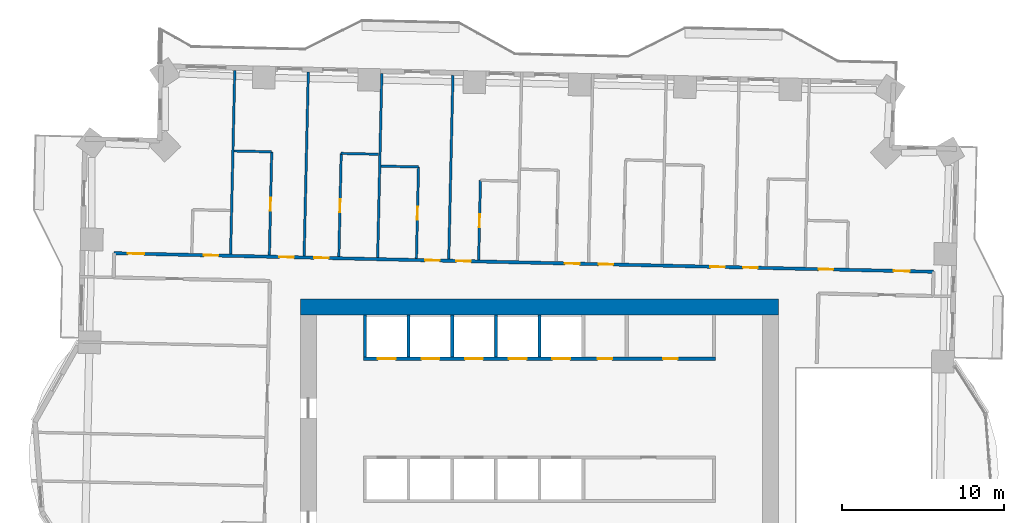
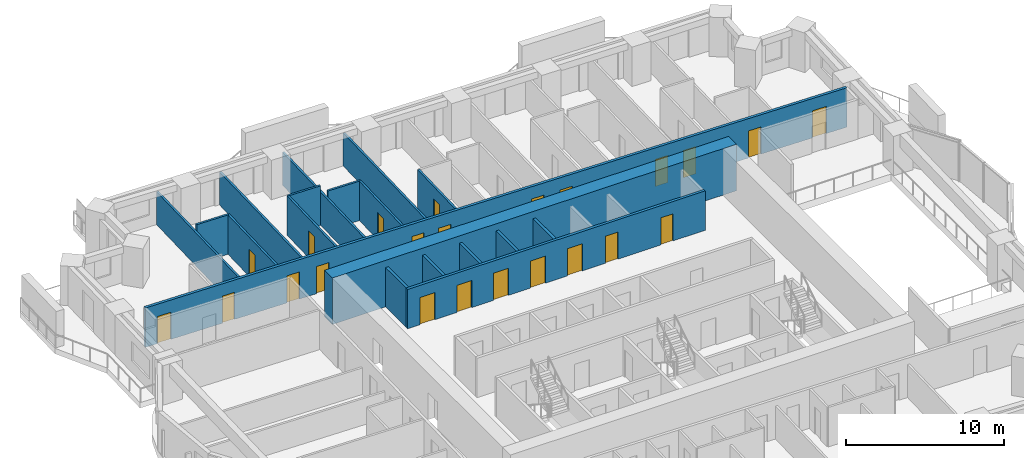
# One storey, part 10 of 16: 23 doors, 19 walls, 23 openings.
"""IFC4 building model written with IfcOpenShell, lengths in metres."""

from ifc_helpers import new_model, si_unit, direction, frame, frame_2d, origin, place, context, subcontext, project, spatial, rectangle, extrude, material, layer, layer_set, type_object, element, fill, save


model = new_model("IFC4")

# Units and contexts
model_context = context("Model", 3, precision=1e-05, world=origin(), true_north=direction((0.0, 1.0)))
body_context = subcontext(model_context, "Body", "Model", "MODEL_VIEW")
ifc_project = project(units=[si_unit("LENGTHUNIT", "METRE"), si_unit("AREAUNIT", "SQUARE_METRE"), si_unit("VOLUMEUNIT", "CUBIC_METRE"), si_unit("PLANEANGLEUNIT", "RADIAN"), si_unit("MASSUNIT", "GRAM", prefix="KILO")], contexts=[model_context])

# Site, building, storey
site_placement = place(None, origin())
site = spatial("IfcSite", under=ifc_project, at=site_placement, CompositionType="ELEMENT")
building_placement = place(site_placement, origin())
building = spatial("IfcBuilding", under=site, at=building_placement, Name="Mangrove Gate Tower", CompositionType="ELEMENT")
storey_placement = place(building_placement, frame((0.0, 0.0, 109.10009765625)))
storey = spatial("IfcBuildingStorey", under=building, at=storey_placement, Name="L27", CompositionType="ELEMENT", Elevation=109.10009765625)

# Wall, openings, doors
ifc_material_1 = material(Name="Concrete C70/85", Category="concrete")
ifc_layer_1 = layer(ifc_material_1, 0.199951171875)
ifc_layer_set_1 = layer_set([ifc_layer_1], Name="Core shaft wall 200 C70/85")
wall_type_1 = type_object("IfcWallType", Name="Core shaft wall 200 C70/85", PredefinedType="SHEAR", material=ifc_layer_set_1)
wall_1_placement = place(storey_placement, frame((-10.89990234375, 8.10009765625, 0.0), z_axis=(0.0, 0.0, 1.0), x_axis=(1.0, 0.0, 0.0)))
wall_1 = element("IfcWall", 1, at=wall_1_placement, inside=storey, type_object=wall_type_1, Name="WALL-L27-CORE-8", PredefinedType="SHEAR", context=body_context, shape_type="SweptSolid", body=[
    extrude(rectangle(XDim=21.7998046875, YDim=0.199951171875, at=frame_2d((10.89990234375, 0.0))), origin(), (0.0, 0.0, 1.0), 3.0498046875),
])
opening_1_placement = place(wall_1_placement, frame((0.89990234375, 0.0, 0.0)))
opening_1 = element("IfcOpeningElement", 2, at=opening_1_placement, cuts=wall_1, Name="Opening LD", PredefinedType="OPENING", context=body_context, shape_type="SweptSolid", body=[
    extrude(rectangle(XDim=1.10009765625, YDim=2.10009765625, at=frame_2d((0.550048828125, 1.050048828125))), frame((0.0, 0.10986328125, 0.0), z_axis=(0.0, -1.0, 0.0), x_axis=(1.0, 0.0, 0.0)), (0.0, 0.0, 1.0), 0.219970703125),
])
opening_2_placement = place(wall_1_placement, frame((3.60009765625, 0.0, 0.0)))
opening_2 = element("IfcOpeningElement", 3, at=opening_2_placement, cuts=wall_1, Name="Opening LD", PredefinedType="OPENING", context=body_context, shape_type="SweptSolid", body=[
    extrude(rectangle(XDim=1.10009765625, YDim=2.10009765625, at=frame_2d((0.550048828125, 1.050048828125))), frame((0.0, 0.10986328125, 0.0), z_axis=(0.0, -1.0, 0.0), x_axis=(1.0, 0.0, 0.0)), (0.0, 0.0, 1.0), 0.219970703125),
])
opening_3_placement = place(wall_1_placement, frame((6.300048828125, 0.0, 0.0)))
opening_3 = element("IfcOpeningElement", 4, at=opening_3_placement, cuts=wall_1, Name="Opening LD", PredefinedType="OPENING", context=body_context, shape_type="SweptSolid", body=[
    extrude(rectangle(XDim=1.10009765625, YDim=2.10009765625, at=frame_2d((0.550048828125, 1.050048828125))), frame((0.0, 0.10986328125, 0.0), z_axis=(0.0, -1.0, 0.0), x_axis=(1.0, 0.0, 0.0)), (0.0, 0.0, 1.0), 0.219970703125),
])
opening_4_placement = place(wall_1_placement, frame((9.0, 0.0, 0.0)))
opening_4 = element("IfcOpeningElement", 5, at=opening_4_placement, cuts=wall_1, Name="Opening LD", PredefinedType="OPENING", context=body_context, shape_type="SweptSolid", body=[
    extrude(rectangle(XDim=1.10009765625, YDim=2.10009765625, at=frame_2d((0.550048828125, 1.050048828125))), frame((0.0, 0.10986328125, 0.0), z_axis=(0.0, -1.0, 0.0), x_axis=(1.0, 0.0, 0.0)), (0.0, 0.0, 1.0), 0.219970703125),
])
opening_5_placement = place(wall_1_placement, frame((11.699951171875, 0.0, 0.0)))
opening_5 = element("IfcOpeningElement", 6, at=opening_5_placement, cuts=wall_1, Name="Opening LD", PredefinedType="OPENING", context=body_context, shape_type="SweptSolid", body=[
    extrude(rectangle(XDim=1.10009765625, YDim=2.10009765625, at=frame_2d((0.550048828125, 1.050048828125))), frame((0.0, 0.10986328125, 0.0), z_axis=(0.0, -1.0, 0.0), x_axis=(1.0, 0.0, 0.0)), (0.0, 0.0, 1.0), 0.219970703125),
])
opening_6_placement = place(wall_1_placement, frame((14.5, 0.0, 0.0)))
opening_6 = element("IfcOpeningElement", 7, at=opening_6_placement, cuts=wall_1, Name="Opening KD", PredefinedType="OPENING", context=body_context, shape_type="SweptSolid", body=[
    extrude(rectangle(XDim=0.89990234375, YDim=2.10009765625, at=frame_2d((0.449951171875, 1.050048828125))), frame((0.0, 0.10986328125, 0.0), z_axis=(0.0, -1.0, 0.0), x_axis=(1.0, 0.0, 0.0)), (0.0, 0.0, 1.0), 0.219970703125),
])
opening_7_placement = place(wall_1_placement, frame((18.550048828125, 0.0, 0.0)))
opening_7 = element("IfcOpeningElement", 8, at=opening_7_placement, cuts=wall_1, Name="Opening RD", PredefinedType="OPENING", context=body_context, shape_type="SweptSolid", body=[
    extrude(rectangle(XDim=0.89990234375, YDim=2.10009765625, at=frame_2d((0.449951171875, 1.050048828125))), frame((0.0, 0.10986328125, 0.0), z_axis=(0.0, -1.0, 0.0), x_axis=(1.0, 0.0, 0.0)), (0.0, 0.0, 1.0), 0.219970703125),
])
ifc_material_2 = material(Name="Fire-rated steel door set", Category="steel")
door_type_1 = type_object("IfcDoorType", Name="Core room door FD30S 900x2100", OperationType="SINGLE_SWING_RIGHT", PredefinedType="DOOR", material=ifc_material_2)
door_1_placement = place(opening_6_placement, origin())
door_1 = element("IfcDoor", 9, at=door_1_placement, inside=storey, type_object=door_type_1, Name="Core room door Linen store", OperationType="SINGLE_SWING_RIGHT", OverallHeight=2.10009765625, OverallWidth=0.89990234375, PredefinedType="DOOR", context=body_context, shape_type="SweptSolid", body=[
    extrude(rectangle(XDim=0.89990234375, YDim=2.10009765625, at=frame_2d((0.449951171875, 1.050048828125))), frame((0.0, 0.02490234375, 0.0), z_axis=(0.0, -1.0, 0.0), x_axis=(1.0, 0.0, 0.0)), (0.0, 0.0, 1.0), 0.050048828125),
])
fill(opening_6, door_1)
ifc_material_3 = material(Name="Stainless steel 316", Category="steel")
door_type_2 = type_object("IfcDoorType", Name="Lift landing door 1100x2100", OperationType="SLIDING_TO_LEFT", PredefinedType="DOOR", material=ifc_material_3)
door_2_placement = place(opening_1_placement, origin())
door_2 = element("IfcDoor", 10, at=door_2_placement, inside=storey, type_object=door_type_2, Name="Landing door LD P06", OperationType="SLIDING_TO_LEFT", OverallHeight=2.10009765625, OverallWidth=1.10009765625, PredefinedType="DOOR", context=body_context, shape_type="SweptSolid", body=[
    extrude(rectangle(XDim=1.10009765625, YDim=2.10009765625, at=frame_2d((0.550048828125, 1.050048828125))), frame((0.0, 0.02490234375, 0.0), z_axis=(0.0, -1.0, 0.0), x_axis=(1.0, 0.0, 0.0)), (0.0, 0.0, 1.0), 0.050048828125),
])
fill(opening_1, door_2)
door_3_placement = place(opening_2_placement, origin())
door_3 = element("IfcDoor", 11, at=door_3_placement, inside=storey, type_object=door_type_2, Name="Landing door LD P07", OperationType="SLIDING_TO_LEFT", OverallHeight=2.10009765625, OverallWidth=1.10009765625, PredefinedType="DOOR", context=body_context, shape_type="SweptSolid", body=[
    extrude(rectangle(XDim=1.10009765625, YDim=2.10009765625, at=frame_2d((0.550048828125, 1.050048828125))), frame((0.0, 0.02490234375, 0.0), z_axis=(0.0, -1.0, 0.0), x_axis=(1.0, 0.0, 0.0)), (0.0, 0.0, 1.0), 0.050048828125),
])
fill(opening_2, door_3)
door_4_placement = place(opening_3_placement, origin())
door_4 = element("IfcDoor", 12, at=door_4_placement, inside=storey, type_object=door_type_2, Name="Landing door LD P08", OperationType="SLIDING_TO_LEFT", OverallHeight=2.10009765625, OverallWidth=1.10009765625, PredefinedType="DOOR", context=body_context, shape_type="SweptSolid", body=[
    extrude(rectangle(XDim=1.10009765625, YDim=2.10009765625, at=frame_2d((0.550048828125, 1.050048828125))), frame((0.0, 0.02490234375, 0.0), z_axis=(0.0, -1.0, 0.0), x_axis=(1.0, 0.0, 0.0)), (0.0, 0.0, 1.0), 0.050048828125),
])
fill(opening_3, door_4)
door_5_placement = place(opening_4_placement, origin())
door_5 = element("IfcDoor", 13, at=door_5_placement, inside=storey, type_object=door_type_2, Name="Landing door LD P09", OperationType="SLIDING_TO_LEFT", OverallHeight=2.10009765625, OverallWidth=1.10009765625, PredefinedType="DOOR", context=body_context, shape_type="SweptSolid", body=[
    extrude(rectangle(XDim=1.10009765625, YDim=2.10009765625, at=frame_2d((0.550048828125, 1.050048828125))), frame((0.0, 0.02490234375, 0.0), z_axis=(0.0, -1.0, 0.0), x_axis=(1.0, 0.0, 0.0)), (0.0, 0.0, 1.0), 0.050048828125),
])
fill(opening_4, door_5)
door_6_placement = place(opening_5_placement, origin())
door_6 = element("IfcDoor", 14, at=door_6_placement, inside=storey, type_object=door_type_2, Name="Landing door LD P10", OperationType="SLIDING_TO_LEFT", OverallHeight=2.10009765625, OverallWidth=1.10009765625, PredefinedType="DOOR", context=body_context, shape_type="SweptSolid", body=[
    extrude(rectangle(XDim=1.10009765625, YDim=2.10009765625, at=frame_2d((0.550048828125, 1.050048828125))), frame((0.0, 0.02490234375, 0.0), z_axis=(0.0, -1.0, 0.0), x_axis=(1.0, 0.0, 0.0)), (0.0, 0.0, 1.0), 0.050048828125),
])
fill(opening_5, door_6)
ifc_material_4 = material(Name="Fire-rated steel door set", Category="steel")
door_type_3 = type_object("IfcDoorType", Name="Riser door FD30S 900x2100", OperationType="SINGLE_SWING_LEFT", PredefinedType="DOOR", material=ifc_material_4)
door_7_placement = place(opening_7_placement, origin())
door_7 = element("IfcDoor", 15, at=door_7_placement, inside=storey, type_object=door_type_3, Name="Riser door Switch room", OperationType="SINGLE_SWING_LEFT", OverallHeight=2.10009765625, OverallWidth=0.89990234375, PredefinedType="DOOR", context=body_context, shape_type="SweptSolid", body=[
    extrude(rectangle(XDim=0.89990234375, YDim=2.10009765625, at=frame_2d((0.449951171875, 1.050048828125))), frame((0.0, 0.02490234375, 0.0), z_axis=(0.0, -1.0, 0.0), x_axis=(1.0, 0.0, 0.0)), (0.0, 0.0, 1.0), 0.050048828125),
])
fill(opening_7, door_7)

# Walls
for number, where, z_axis, x_axis, name in (
    (16, (-10.800048828125, 8.199951171875, 0.0), (0.0, 0.0, 1.0), (0.0, 1.0, 0.0), "WALL-L27-CORE-26"),
    (17, (-8.10009765625, 8.199951171875, 0.0), (0.0, 0.0, 1.0), (0.0, 1.0, 0.0), "WALL-L27-CORE-27"),
    (18, (-5.39990234375, 8.199951171875, 0.0), (0.0, 0.0, 1.0), (0.0, 1.0, 0.0), "WALL-L27-CORE-28"),
    (19, (-2.699951171875, 8.199951171875, 0.0), (0.0, 0.0, 1.0), (0.0, 1.0, 0.0), "WALL-L27-CORE-29"),
    (20, (0.0, 8.199951171875, 0.0), (0.0, 0.0, 1.0), (0.0, 1.0, 0.0), "WALL-L27-CORE-30"),
):
    element("IfcWall", number, at=place(storey_placement, frame(where, z_axis=z_axis, x_axis=x_axis)), inside=storey, type_object=wall_type_1, Name=name, PredefinedType="SHEAR", context=body_context, shape_type="SweptSolid", body=[
        extrude(rectangle(XDim=2.60009765625, YDim=0.199951171875, at=frame_2d((1.300048828125, 0.0))), origin(), (0.0, 0.0, 1.0), 3.0498046875),
    ])
ifc_material_5 = material(Name="Concrete C70/85", Category="concrete")
ifc_layer_2 = layer(ifc_material_5, 1.0)
ifc_layer_set_2 = layer_set([ifc_layer_2], Name="Core wall 1000 C70/85")
wall_type_2 = type_object("IfcWallType", Name="Core wall 1000 C70/85", PredefinedType="SHEAR", material=ifc_layer_set_2)
wall_2_placement = place(storey_placement, frame((-14.800048828125, 11.300048828125, 0.0), z_axis=(0.0, 0.0, 1.0), x_axis=(1.0, 0.0, 0.0)))
element("IfcWall", 21, at=wall_2_placement, inside=storey, type_object=wall_type_2, Name="WALL-L27-CORE-2", PredefinedType="SHEAR", context=body_context, shape_type="SweptSolid", body=[
    extrude(rectangle(XDim=29.60009765625, YDim=1.0, at=frame_2d((14.800048828125, 0.0))), origin(), (0.0, 0.0, 1.0), 3.599853515625),
])

# Wall, openings, doors
ifc_material_6 = material(Name="Gypsum board on steel stud, EI 60", Category="steel")
ifc_layer_3 = layer(ifc_material_6, 0.199951171875)
ifc_layer_set_3 = layer_set([ifc_layer_3], Name="Corridor wall EI 60")
wall_type_3 = type_object("IfcWallType", Name="Corridor wall EI 60", PredefinedType="PARTITIONING", material=ifc_layer_set_3)
wall_3_placement = place(storey_placement, frame((-26.31591796875, 14.634033203125, 0.0), z_axis=(0.0, 0.0, 1.0), x_axis=(0.999742734556, -0.02268181435, 0.0)))
wall_3 = element("IfcWall", 22, at=wall_3_placement, inside=storey, type_object=wall_type_3, Name="WALL-L27-045", PredefinedType="PARTITIONING", context=body_context, shape_type="SweptSolid", body=[
    extrude(rectangle(XDim=50.707763671875, YDim=0.199951171875, at=frame_2d((25.35400390625, 0.0))), origin(), (0.0, 0.0, 1.0), 3.0498046875),
])
opening_8_placement = place(wall_3_placement, frame((48.22900390625, 0.0, 0.0)))
opening_8 = element("IfcOpeningElement", 23, at=opening_8_placement, cuts=wall_3, Name="Opening AD", PredefinedType="OPENING", context=body_context, shape_type="SweptSolid", body=[
    extrude(rectangle(XDim=1.0, YDim=2.10009765625, at=frame_2d((0.5, 1.050048828125))), frame((0.0, 0.10986328125, 0.0), z_axis=(0.0, -1.0, 0.0), x_axis=(1.0, 0.0, 0.0)), (0.0, 0.0, 1.0), 0.219970703125),
])
opening_9_placement = place(wall_3_placement, frame((43.60009765625, 0.0, 0.0)))
opening_9 = element("IfcOpeningElement", 24, at=opening_9_placement, cuts=wall_3, Name="Opening SD", PredefinedType="OPENING", context=body_context, shape_type="SweptSolid", body=[
    extrude(rectangle(XDim=0.89990234375, YDim=2.10009765625, at=frame_2d((0.449951171875, 1.050048828125))), frame((0.0, 0.10986328125, 0.0), z_axis=(0.0, -1.0, 0.0), x_axis=(1.0, 0.0, 0.0)), (0.0, 0.0, 1.0), 0.219970703125),
])
opening_10_placement = place(wall_3_placement, frame((38.925048828125, 0.0, 0.0)))
opening_10 = element("IfcOpeningElement", 25, at=opening_10_placement, cuts=wall_3, Name="Opening BD", PredefinedType="OPENING", context=body_context, shape_type="SweptSolid", body=[
    extrude(rectangle(XDim=0.89990234375, YDim=2.10009765625, at=frame_2d((0.449951171875, 1.050048828125))), frame((0.0, 0.10986328125, 0.0), z_axis=(0.0, -1.0, 0.0), x_axis=(1.0, 0.0, 0.0)), (0.0, 0.0, 1.0), 0.219970703125),
])
opening_11_placement = place(wall_3_placement, frame((36.89990234375, 0.0, 0.0)))
opening_11 = element("IfcOpeningElement", 26, at=opening_11_placement, cuts=wall_3, Name="Opening BD", PredefinedType="OPENING", context=body_context, shape_type="SweptSolid", body=[
    extrude(rectangle(XDim=0.89990234375, YDim=2.10009765625, at=frame_2d((0.449951171875, 1.050048828125))), frame((0.0, 0.10986328125, 0.0), z_axis=(0.0, -1.0, 0.0), x_axis=(1.0, 0.0, 0.0)), (0.0, 0.0, 1.0), 0.219970703125),
])
opening_12_placement = place(wall_3_placement, frame((29.97509765625, 0.0, 0.0)))
opening_12 = element("IfcOpeningElement", 27, at=opening_12_placement, cuts=wall_3, Name="Opening BD", PredefinedType="OPENING", context=body_context, shape_type="SweptSolid", body=[
    extrude(rectangle(XDim=0.89990234375, YDim=2.10009765625, at=frame_2d((0.449951171875, 1.050048828125))), frame((0.0, 0.10986328125, 0.0), z_axis=(0.0, -1.0, 0.0), x_axis=(1.0, 0.0, 0.0)), (0.0, 0.0, 1.0), 0.219970703125),
])
opening_13_placement = place(wall_3_placement, frame((27.89990234375, 0.0, 0.0)))
opening_13 = element("IfcOpeningElement", 28, at=opening_13_placement, cuts=wall_3, Name="Opening BD", PredefinedType="OPENING", context=body_context, shape_type="SweptSolid", body=[
    extrude(rectangle(XDim=0.89990234375, YDim=2.10009765625, at=frame_2d((0.449951171875, 1.050048828125))), frame((0.0, 0.10986328125, 0.0), z_axis=(0.0, -1.0, 0.0), x_axis=(1.0, 0.0, 0.0)), (0.0, 0.0, 1.0), 0.219970703125),
])
opening_14_placement = place(wall_3_placement, frame((21.175048828125, 0.0, 0.0)))
opening_14 = element("IfcOpeningElement", 29, at=opening_14_placement, cuts=wall_3, Name="Opening BD", PredefinedType="OPENING", context=body_context, shape_type="SweptSolid", body=[
    extrude(rectangle(XDim=0.89990234375, YDim=2.10009765625, at=frame_2d((0.449951171875, 1.050048828125))), frame((0.0, 0.10986328125, 0.0), z_axis=(0.0, -1.0, 0.0), x_axis=(1.0, 0.0, 0.0)), (0.0, 0.0, 1.0), 0.219970703125),
])
opening_15_placement = place(wall_3_placement, frame((19.25, 0.0, 0.0)))
opening_15 = element("IfcOpeningElement", 30, at=opening_15_placement, cuts=wall_3, Name="Opening BD", PredefinedType="OPENING", context=body_context, shape_type="SweptSolid", body=[
    extrude(rectangle(XDim=0.89990234375, YDim=2.10009765625, at=frame_2d((0.449951171875, 1.050048828125))), frame((0.0, 0.10986328125, 0.0), z_axis=(0.0, -1.0, 0.0), x_axis=(1.0, 0.0, 0.0)), (0.0, 0.0, 1.0), 0.219970703125),
])
opening_16_placement = place(wall_3_placement, frame((12.375, 0.0, 0.0)))
opening_16 = element("IfcOpeningElement", 31, at=opening_16_placement, cuts=wall_3, Name="Opening BD", PredefinedType="OPENING", context=body_context, shape_type="SweptSolid", body=[
    extrude(rectangle(XDim=0.89990234375, YDim=2.10009765625, at=frame_2d((0.449951171875, 1.050048828125))), frame((0.0, 0.10986328125, 0.0), z_axis=(0.0, -1.0, 0.0), x_axis=(1.0, 0.0, 0.0)), (0.0, 0.0, 1.0), 0.219970703125),
])
opening_17_placement = place(wall_3_placement, frame((10.22509765625, 0.0, 0.0)))
opening_17 = element("IfcOpeningElement", 32, at=opening_17_placement, cuts=wall_3, Name="Opening BD", PredefinedType="OPENING", context=body_context, shape_type="SweptSolid", body=[
    extrude(rectangle(XDim=0.89990234375, YDim=2.10009765625, at=frame_2d((0.449951171875, 1.050048828125))), frame((0.0, 0.10986328125, 0.0), z_axis=(0.0, -1.0, 0.0), x_axis=(1.0, 0.0, 0.0)), (0.0, 0.0, 1.0), 0.219970703125),
])
opening_18_placement = place(wall_3_placement, frame((0.85009765625, 0.0, 0.0)))
opening_18 = element("IfcOpeningElement", 33, at=opening_18_placement, cuts=wall_3, Name="Opening AD", PredefinedType="OPENING", context=body_context, shape_type="SweptSolid", body=[
    extrude(rectangle(XDim=1.0, YDim=2.10009765625, at=frame_2d((0.5, 1.050048828125))), frame((0.0, 0.10986328125, 0.0), z_axis=(0.0, -1.0, 0.0), x_axis=(1.0, 0.0, 0.0)), (0.0, 0.0, 1.0), 0.219970703125),
])
opening_19_placement = place(wall_3_placement, frame((5.550048828125, 0.0, 0.0)))
opening_19 = element("IfcOpeningElement", 34, at=opening_19_placement, cuts=wall_3, Name="Opening SD", PredefinedType="OPENING", context=body_context, shape_type="SweptSolid", body=[
    extrude(rectangle(XDim=0.89990234375, YDim=2.10009765625, at=frame_2d((0.449951171875, 1.050048828125))), frame((0.0, 0.10986328125, 0.0), z_axis=(0.0, -1.0, 0.0), x_axis=(1.0, 0.0, 0.0)), (0.0, 0.0, 1.0), 0.219970703125),
])
ifc_material_7 = material(Name="Timber door leaf", Category="wood")
door_type_4 = type_object("IfcDoorType", Name="Amenity door 1000", OperationType="SINGLE_SWING_LEFT", PredefinedType="DOOR", material=ifc_material_7)
door_8_placement = place(opening_8_placement, origin())
door_8 = element("IfcDoor", 35, at=door_8_placement, inside=storey, type_object=door_type_4, Name="DOOR-L27-LNG-c3b", OperationType="SINGLE_SWING_LEFT", OverallHeight=2.10009765625, OverallWidth=1.0, PredefinedType="DOOR", context=body_context, shape_type="SweptSolid", body=[
    extrude(rectangle(XDim=1.0, YDim=2.10009765625, at=frame_2d((0.5, 1.050048828125))), frame((0.0, 0.02490234375, 0.0), z_axis=(0.0, -1.0, 0.0), x_axis=(1.0, 0.0, 0.0)), (0.0, 0.0, 1.0), 0.050048828125),
])
fill(opening_8, door_8)
door_9_placement = place(opening_18_placement, origin())
door_9 = element("IfcDoor", 36, at=door_9_placement, inside=storey, type_object=door_type_4, Name="DOOR-L27-KIT-c5a", OperationType="SINGLE_SWING_RIGHT", OverallHeight=2.10009765625, OverallWidth=1.0, PredefinedType="DOOR", context=body_context, shape_type="SweptSolid", body=[
    extrude(rectangle(XDim=1.0, YDim=2.10009765625, at=frame_2d((0.5, 1.050048828125))), frame((0.0, 0.02490234375, 0.0), z_axis=(0.0, -1.0, 0.0), x_axis=(1.0, 0.0, 0.0)), (0.0, 0.0, 1.0), 0.050048828125),
])
fill(opening_18, door_9)
ifc_material_8 = material(Name="Timber door leaf", Category="wood")
door_type_5 = type_object("IfcDoorType", Name="Bedroom door 900", OperationType="SINGLE_SWING_LEFT", PredefinedType="DOOR", material=ifc_material_8)
door_10_placement = place(opening_10_placement, origin())
door_10 = element("IfcDoor", 37, at=door_10_placement, inside=storey, type_object=door_type_5, Name="DOOR-L27-BED-c308", OperationType="SINGLE_SWING_RIGHT", OverallHeight=2.10009765625, OverallWidth=0.89990234375, PredefinedType="DOOR", context=body_context, shape_type="SweptSolid", body=[
    extrude(rectangle(XDim=0.89990234375, YDim=2.10009765625, at=frame_2d((0.449951171875, 1.050048828125))), frame((0.0, 0.02490234375, 0.0), z_axis=(0.0, -1.0, 0.0), x_axis=(1.0, 0.0, 0.0)), (0.0, 0.0, 1.0), 0.050048828125),
])
fill(opening_10, door_10)
door_11_placement = place(opening_11_placement, origin())
door_11 = element("IfcDoor", 38, at=door_11_placement, inside=storey, type_object=door_type_5, Name="DOOR-L27-BED-c309", OperationType="SINGLE_SWING_LEFT", OverallHeight=2.10009765625, OverallWidth=0.89990234375, PredefinedType="DOOR", context=body_context, shape_type="SweptSolid", body=[
    extrude(rectangle(XDim=0.89990234375, YDim=2.10009765625, at=frame_2d((0.449951171875, 1.050048828125))), frame((0.0, 0.02490234375, 0.0), z_axis=(0.0, -1.0, 0.0), x_axis=(1.0, 0.0, 0.0)), (0.0, 0.0, 1.0), 0.050048828125),
])
fill(opening_11, door_11)
door_12_placement = place(opening_12_placement, origin())
door_12 = element("IfcDoor", 39, at=door_12_placement, inside=storey, type_object=door_type_5, Name="DOOR-L27-BED-c410", OperationType="SINGLE_SWING_RIGHT", OverallHeight=2.10009765625, OverallWidth=0.89990234375, PredefinedType="DOOR", context=body_context, shape_type="SweptSolid", body=[
    extrude(rectangle(XDim=0.89990234375, YDim=2.10009765625, at=frame_2d((0.449951171875, 1.050048828125))), frame((0.0, 0.02490234375, 0.0), z_axis=(0.0, -1.0, 0.0), x_axis=(1.0, 0.0, 0.0)), (0.0, 0.0, 1.0), 0.050048828125),
])
fill(opening_12, door_12)
door_13_placement = place(opening_13_placement, origin())
door_13 = element("IfcDoor", 40, at=door_13_placement, inside=storey, type_object=door_type_5, Name="DOOR-L27-BED-c411", OperationType="SINGLE_SWING_LEFT", OverallHeight=2.10009765625, OverallWidth=0.89990234375, PredefinedType="DOOR", context=body_context, shape_type="SweptSolid", body=[
    extrude(rectangle(XDim=0.89990234375, YDim=2.10009765625, at=frame_2d((0.449951171875, 1.050048828125))), frame((0.0, 0.02490234375, 0.0), z_axis=(0.0, -1.0, 0.0), x_axis=(1.0, 0.0, 0.0)), (0.0, 0.0, 1.0), 0.050048828125),
])
fill(opening_13, door_13)
door_14_placement = place(opening_14_placement, origin())
door_14 = element("IfcDoor", 41, at=door_14_placement, inside=storey, type_object=door_type_5, Name="DOOR-L27-BED-c412", OperationType="SINGLE_SWING_RIGHT", OverallHeight=2.10009765625, OverallWidth=0.89990234375, PredefinedType="DOOR", context=body_context, shape_type="SweptSolid", body=[
    extrude(rectangle(XDim=0.89990234375, YDim=2.10009765625, at=frame_2d((0.449951171875, 1.050048828125))), frame((0.0, 0.02490234375, 0.0), z_axis=(0.0, -1.0, 0.0), x_axis=(1.0, 0.0, 0.0)), (0.0, 0.0, 1.0), 0.050048828125),
])
fill(opening_14, door_14)
door_15_placement = place(opening_15_placement, origin())
door_15 = element("IfcDoor", 42, at=door_15_placement, inside=storey, type_object=door_type_5, Name="DOOR-L27-BED-c513", OperationType="SINGLE_SWING_LEFT", OverallHeight=2.10009765625, OverallWidth=0.89990234375, PredefinedType="DOOR", context=body_context, shape_type="SweptSolid", body=[
    extrude(rectangle(XDim=0.89990234375, YDim=2.10009765625, at=frame_2d((0.449951171875, 1.050048828125))), frame((0.0, 0.02490234375, 0.0), z_axis=(0.0, -1.0, 0.0), x_axis=(1.0, 0.0, 0.0)), (0.0, 0.0, 1.0), 0.050048828125),
])
fill(opening_15, door_15)
door_16_placement = place(opening_16_placement, origin())
door_16 = element("IfcDoor", 43, at=door_16_placement, inside=storey, type_object=door_type_5, Name="DOOR-L27-BED-c514", OperationType="SINGLE_SWING_RIGHT", OverallHeight=2.10009765625, OverallWidth=0.89990234375, PredefinedType="DOOR", context=body_context, shape_type="SweptSolid", body=[
    extrude(rectangle(XDim=0.89990234375, YDim=2.10009765625, at=frame_2d((0.449951171875, 1.050048828125))), frame((0.0, 0.02490234375, 0.0), z_axis=(0.0, -1.0, 0.0), x_axis=(1.0, 0.0, 0.0)), (0.0, 0.0, 1.0), 0.050048828125),
])
fill(opening_16, door_16)
door_17_placement = place(opening_17_placement, origin())
door_17 = element("IfcDoor", 44, at=door_17_placement, inside=storey, type_object=door_type_5, Name="DOOR-L27-BED-c515", OperationType="SINGLE_SWING_LEFT", OverallHeight=2.10009765625, OverallWidth=0.89990234375, PredefinedType="DOOR", context=body_context, shape_type="SweptSolid", body=[
    extrude(rectangle(XDim=0.89990234375, YDim=2.10009765625, at=frame_2d((0.449951171875, 1.050048828125))), frame((0.0, 0.02490234375, 0.0), z_axis=(0.0, -1.0, 0.0), x_axis=(1.0, 0.0, 0.0)), (0.0, 0.0, 1.0), 0.050048828125),
])
fill(opening_17, door_17)
ifc_material_9 = material(Name="Timber door leaf", Category="wood")
door_type_6 = type_object("IfcDoorType", Name="Service room door 900", OperationType="SINGLE_SWING_LEFT", PredefinedType="DOOR", material=ifc_material_9)
door_18_placement = place(opening_9_placement, origin())
door_18 = element("IfcDoor", 45, at=door_18_placement, inside=storey, type_object=door_type_6, Name="DOOR-L27-AWC-c3a", OperationType="SINGLE_SWING_RIGHT", OverallHeight=2.10009765625, OverallWidth=0.89990234375, PredefinedType="DOOR", context=body_context, shape_type="SweptSolid", body=[
    extrude(rectangle(XDim=0.89990234375, YDim=2.10009765625, at=frame_2d((0.449951171875, 1.050048828125))), frame((0.0, 0.02490234375, 0.0), z_axis=(0.0, -1.0, 0.0), x_axis=(1.0, 0.0, 0.0)), (0.0, 0.0, 1.0), 0.050048828125),
])
fill(opening_9, door_18)
door_19_placement = place(opening_19_placement, origin())
door_19 = element("IfcDoor", 46, at=door_19_placement, inside=storey, type_object=door_type_6, Name="DOOR-L27-WC-c5a", OperationType="SINGLE_SWING_LEFT", OverallHeight=2.10009765625, OverallWidth=0.89990234375, PredefinedType="DOOR", context=body_context, shape_type="SweptSolid", body=[
    extrude(rectangle(XDim=0.89990234375, YDim=2.10009765625, at=frame_2d((0.449951171875, 1.050048828125))), frame((0.0, 0.02490234375, 0.0), z_axis=(0.0, -1.0, 0.0), x_axis=(1.0, 0.0, 0.0)), (0.0, 0.0, 1.0), 0.050048828125),
])
fill(opening_19, door_19)

# Wall
ifc_material_10 = material(Name="Gypsum board on steel stud, EI 60", Category="steel")
ifc_layer_4 = layer(ifc_material_10, 0.14990234375)
ifc_layer_set_4 = layer_set([ifc_layer_4], Name="Party wall 150 EI 60")
wall_type_4 = type_object("IfcWallType", Name="Party wall 150 EI 60", PredefinedType="PARTITIONING", material=ifc_layer_set_4)
wall_4_placement = place(storey_placement, frame((-19.111083984375, 14.574951171875, 0.0), z_axis=(0.0, 0.0, 1.0), x_axis=(0.022684355347, 0.999742676904, 0.0)))
element("IfcWall", 47, at=wall_4_placement, inside=storey, type_object=wall_type_4, Name="WALL-L27-047", PredefinedType="PARTITIONING", context=body_context, shape_type="SweptSolid", body=[
    extrude(rectangle(XDim=11.3759765625, YDim=0.14990234375, at=frame_2d((5.68798828125, 0.0))), origin(), (0.0, 0.0, 1.0), 2.5498046875),
])

# Wall, opening, door
wall_5_placement = place(storey_placement, frame((-16.7119140625, 14.52001953125, 0.0), z_axis=(0.0, 0.0, 1.0), x_axis=(0.022692767652, 0.999742485991, 0.0)))
wall_5 = element("IfcWall", 48, at=wall_5_placement, inside=storey, type_object=wall_type_4, Name="WALL-L27-048", PredefinedType="PARTITIONING", context=body_context, shape_type="SweptSolid", body=[
    extrude(rectangle(XDim=6.390625, YDim=0.14990234375, at=frame_2d((3.1953125, 0.0))), origin(), (0.0, 0.0, 1.0), 3.0498046875),
])
opening_20_placement = place(wall_5_placement, frame((2.7451171875, 0.0, 0.0)))
opening_20 = element("IfcOpeningElement", 49, at=opening_20_placement, cuts=wall_5, Name="Opening ED", PredefinedType="OPENING", context=body_context, shape_type="SweptSolid", body=[
    extrude(rectangle(XDim=0.800048828125, YDim=2.10009765625, at=frame_2d((0.39990234375, 1.050048828125))), frame((0.0, 0.0849609375, 0.0), z_axis=(0.0, -1.0, 0.0), x_axis=(1.0, 0.0, 0.0)), (0.0, 0.0, 1.0), 0.169921875),
])
ifc_material_11 = material(Name="Timber door leaf", Category="wood")
door_type_7 = type_object("IfcDoorType", Name="En-suite door 800", OperationType="SINGLE_SWING_LEFT", PredefinedType="DOOR", material=ifc_material_11)
door_20_placement = place(opening_20_placement, origin())
door_20 = element("IfcDoor", 50, at=door_20_placement, inside=storey, type_object=door_type_7, Name="DOOR-L27-ENS-c515", OperationType="SINGLE_SWING_LEFT", OverallHeight=2.10009765625, OverallWidth=0.800048828125, PredefinedType="DOOR", context=body_context, shape_type="SweptSolid", body=[
    extrude(rectangle(XDim=0.800048828125, YDim=2.10009765625, at=frame_2d((0.39990234375, 1.050048828125))), frame((0.0, 0.02490234375, 0.0), z_axis=(0.0, -1.0, 0.0), x_axis=(1.0, 0.0, 0.0)), (0.0, 0.0, 1.0), 0.050048828125),
])
fill(opening_20, door_20)

# Wall
wall_6_placement = place(storey_placement, frame((-14.56201171875, 14.470947265625, 0.0), z_axis=(0.0, 0.0, 1.0), x_axis=(0.022684355347, 0.999742676904, 0.0)))
element("IfcWall", 51, at=wall_6_placement, inside=storey, type_object=wall_type_4, Name="WALL-L27-049", PredefinedType="PARTITIONING", context=body_context, shape_type="SweptSolid", body=[
    extrude(rectangle(XDim=11.3759765625, YDim=0.14990234375, at=frame_2d((5.68798828125, 0.0))), origin(), (0.0, 0.0, 1.0), 2.5498046875),
])

# Wall, opening, door
wall_7_placement = place(storey_placement, frame((-12.4130859375, 14.423095703125, 0.0), z_axis=(0.0, 0.0, 1.0), x_axis=(0.022696235044, 0.99974240728, 0.0)))
wall_7 = element("IfcWall", 52, at=wall_7_placement, inside=storey, type_object=wall_type_4, Name="WALL-L27-050", PredefinedType="PARTITIONING", context=body_context, shape_type="SweptSolid", body=[
    extrude(rectangle(XDim=6.3896484375, YDim=0.14990234375, at=frame_2d((3.19482421875, 0.0))), origin(), (0.0, 0.0, 1.0), 3.0498046875),
])
opening_21_placement = place(wall_7_placement, frame((2.7451171875, 0.0, 0.0)))
opening_21 = element("IfcOpeningElement", 53, at=opening_21_placement, cuts=wall_7, Name="Opening ED", PredefinedType="OPENING", context=body_context, shape_type="SweptSolid", body=[
    extrude(rectangle(XDim=0.800048828125, YDim=2.10009765625, at=frame_2d((0.39990234375, 1.050048828125))), frame((0.0, 0.0849609375, 0.0), z_axis=(0.0, -1.0, 0.0), x_axis=(1.0, 0.0, 0.0)), (0.0, 0.0, 1.0), 0.169921875),
])
door_21_placement = place(opening_21_placement, origin())
door_21 = element("IfcDoor", 54, at=door_21_placement, inside=storey, type_object=door_type_7, Name="DOOR-L27-ENS-c514", OperationType="SINGLE_SWING_RIGHT", OverallHeight=2.10009765625, OverallWidth=0.800048828125, PredefinedType="DOOR", context=body_context, shape_type="SweptSolid", body=[
    extrude(rectangle(XDim=0.800048828125, YDim=2.10009765625, at=frame_2d((0.39990234375, 1.050048828125))), frame((0.0, 0.02490234375, 0.0), z_axis=(0.0, -1.0, 0.0), x_axis=(1.0, 0.0, 0.0)), (0.0, 0.0, 1.0), 0.050048828125),
])
fill(opening_21, door_21)

# Wall
wall_8_placement = place(storey_placement, frame((-10.013916015625, 14.367919921875, 0.0), z_axis=(0.0, 0.0, 1.0), x_axis=(0.022662905301, 0.999743163379, 0.0)))
element("IfcWall", 55, at=wall_8_placement, inside=storey, type_object=wall_type_4, Name="WALL-L27-051", PredefinedType="PARTITIONING", context=body_context, shape_type="SweptSolid", body=[
    extrude(rectangle(XDim=11.3759765625, YDim=0.14990234375, at=frame_2d((5.68798828125, 0.0))), origin(), (0.0, 0.0, 1.0), 2.5498046875),
])

# Wall, opening, door
wall_9_placement = place(storey_placement, frame((-7.614013671875, 14.31396484375, 0.0), z_axis=(0.0, 0.0, 1.0), x_axis=(0.022604794261, 0.999744478993, 0.0)))
wall_9 = element("IfcWall", 56, at=wall_9_placement, inside=storey, type_object=wall_type_4, Name="WALL-L27-052", PredefinedType="PARTITIONING", context=body_context, shape_type="SweptSolid", body=[
    extrude(rectangle(XDim=5.659423828125, YDim=0.14990234375, at=frame_2d((2.82958984375, 0.0))), origin(), (0.0, 0.0, 1.0), 3.0498046875),
])
opening_22_placement = place(wall_9_placement, frame((2.3798828125, 0.0, 0.0)))
opening_22 = element("IfcOpeningElement", 57, at=opening_22_placement, cuts=wall_9, Name="Opening ED", PredefinedType="OPENING", context=body_context, shape_type="SweptSolid", body=[
    extrude(rectangle(XDim=0.800048828125, YDim=2.10009765625, at=frame_2d((0.39990234375, 1.050048828125))), frame((0.0, 0.0849609375, 0.0), z_axis=(0.0, -1.0, 0.0), x_axis=(1.0, 0.0, 0.0)), (0.0, 0.0, 1.0), 0.169921875),
])
door_22_placement = place(opening_22_placement, origin())
door_22 = element("IfcDoor", 58, at=door_22_placement, inside=storey, type_object=door_type_7, Name="DOOR-L27-ENS-c513", OperationType="SINGLE_SWING_LEFT", OverallHeight=2.10009765625, OverallWidth=0.800048828125, PredefinedType="DOOR", context=body_context, shape_type="SweptSolid", body=[
    extrude(rectangle(XDim=0.800048828125, YDim=2.10009765625, at=frame_2d((0.39990234375, 1.050048828125))), frame((0.0, 0.02490234375, 0.0), z_axis=(0.0, -1.0, 0.0), x_axis=(1.0, 0.0, 0.0)), (0.0, 0.0, 1.0), 0.050048828125),
])
fill(opening_22, door_22)

# Wall
wall_10_placement = place(storey_placement, frame((-5.614990234375, 14.26806640625, 0.0), z_axis=(0.0, 0.0, 1.0), x_axis=(0.022684355347, 0.999742676904, 0.0)))
element("IfcWall", 59, at=wall_10_placement, inside=storey, type_object=wall_type_4, Name="WALL-L27-053", PredefinedType="PARTITIONING", context=body_context, shape_type="SweptSolid", body=[
    extrude(rectangle(XDim=11.3759765625, YDim=0.14990234375, at=frame_2d((5.68798828125, 0.0))), origin(), (0.0, 0.0, 1.0), 2.5498046875),
])

# Wall, opening, door
wall_11_placement = place(storey_placement, frame((-3.764892578125, 14.22607421875, 0.0), z_axis=(0.0, 0.0, 1.0), x_axis=(0.022527535496, 0.999746222871, 0.0)))
wall_11 = element("IfcWall", 60, at=wall_11_placement, inside=storey, type_object=wall_type_4, Name="WALL-L27-054", PredefinedType="PARTITIONING", context=body_context, shape_type="SweptSolid", body=[
    extrude(rectangle(XDim=4.920166015625, YDim=0.14990234375, at=frame_2d((2.4599609375, 0.0))), origin(), (0.0, 0.0, 1.0), 3.0498046875),
])
opening_23_placement = place(wall_11_placement, frame((2.010009765625, 0.0, 0.0)))
opening_23 = element("IfcOpeningElement", 61, at=opening_23_placement, cuts=wall_11, Name="Opening ED", PredefinedType="OPENING", context=body_context, shape_type="SweptSolid", body=[
    extrude(rectangle(XDim=0.800048828125, YDim=2.10009765625, at=frame_2d((0.39990234375, 1.050048828125))), frame((0.0, 0.0849609375, 0.0), z_axis=(0.0, -1.0, 0.0), x_axis=(1.0, 0.0, 0.0)), (0.0, 0.0, 1.0), 0.169921875),
])
door_23_placement = place(opening_23_placement, origin())
door_23 = element("IfcDoor", 62, at=door_23_placement, inside=storey, type_object=door_type_7, Name="DOOR-L27-ENS-c412", OperationType="SINGLE_SWING_RIGHT", OverallHeight=2.10009765625, OverallWidth=0.800048828125, PredefinedType="DOOR", context=body_context, shape_type="SweptSolid", body=[
    extrude(rectangle(XDim=0.800048828125, YDim=2.10009765625, at=frame_2d((0.39990234375, 1.050048828125))), frame((0.0, 0.02490234375, 0.0), z_axis=(0.0, -1.0, 0.0), x_axis=(1.0, 0.0, 0.0)), (0.0, 0.0, 1.0), 0.050048828125),
])
fill(opening_23, door_23)

# Walls
for number, where, z_axis, x_axis, name in (
    (63, (-9.81396484375, 20.02099609375, 0.0), (0.0, 0.0, 1.0), (0.999740260747, -0.02279059109, 0.0), "WALL-L27-069"),
    (64, (-18.89501953125, 20.95703125, 0.0), (0.0, 0.0, 1.0), (0.999749744571, -0.022370700241, 0.0), "WALL-L27-072"),
    (65, (-12.27197265625, 20.806884765625, 0.0), (0.0, 0.0, 1.0), (0.999740260747, -0.02279059109, 0.0), "WALL-L27-073"),
):
    element("IfcWall", number, at=place(storey_placement, frame(where, z_axis=z_axis, x_axis=x_axis)), inside=storey, type_object=wall_type_4, Name=name, PredefinedType="PARTITIONING", context=body_context, shape_type="SweptSolid", body=[
        extrude(rectangle(XDim=2.324462890625, YDim=0.14990234375, at=frame_2d((1.162109375, 0.0))), origin(), (0.0, 0.0, 1.0), 3.0498046875),
    ])

save(model, "model.ifc")
